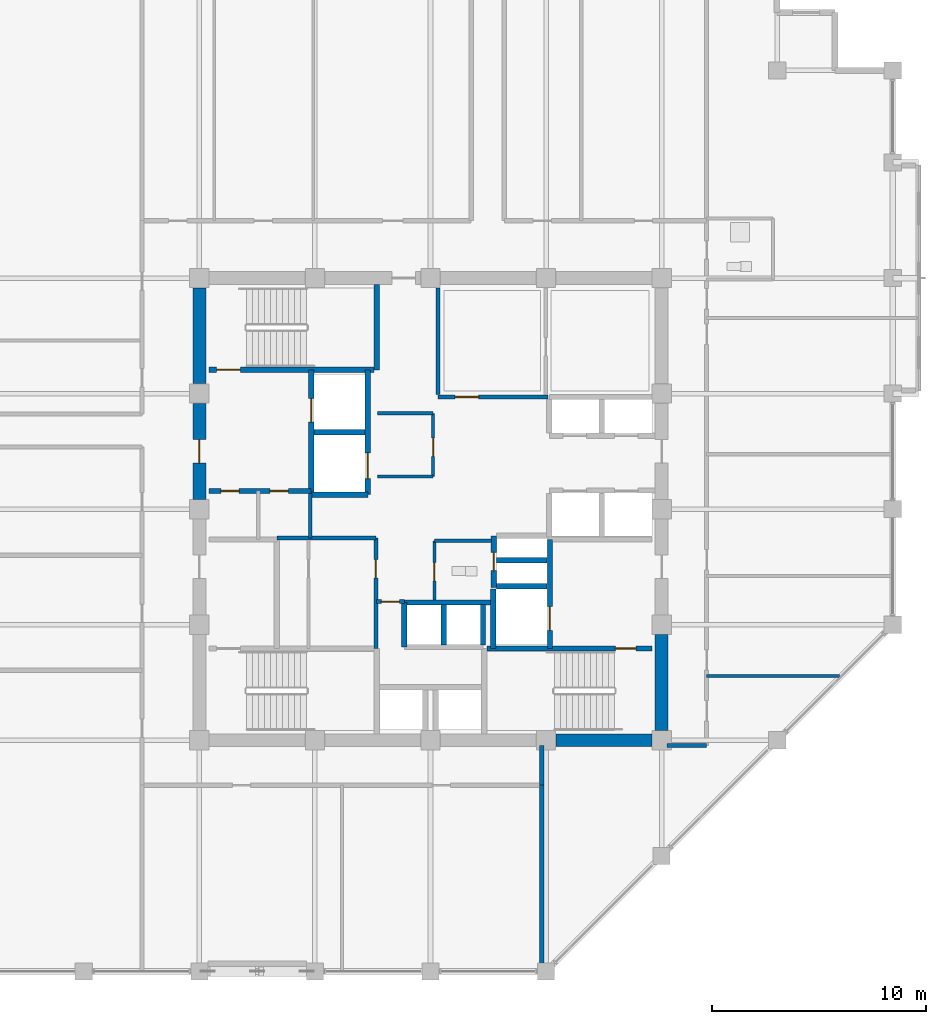
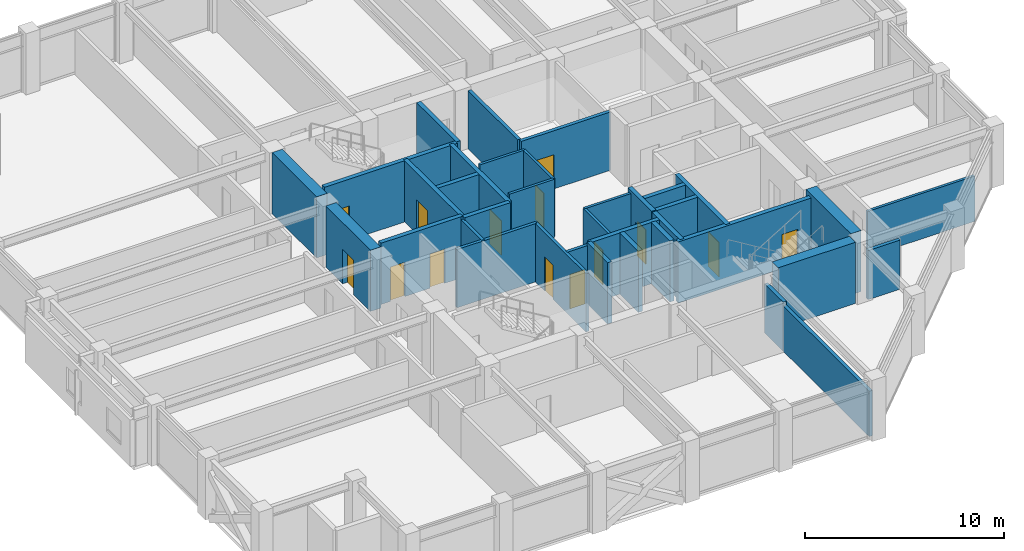
# One storey, part 25 of 30: 36 walls, 14 doors, 14 openings.
"""IFC4 building model written with IfcOpenShell, lengths in metres."""

from ifc_helpers import new_model, si_unit, direction, frame, frame_2d, origin, place, context, subcontext, project, spatial, rectangle, extrude, material, layer, layer_set, type_object, element, fill, save


model = new_model("IFC4")

# Units and contexts
model_context = context("Model", 3, precision=1e-05, world=origin(), true_north=direction((0.0, 1.0)))
body_context = subcontext(model_context, "Body", "Model", "MODEL_VIEW")
ifc_project = project(units=[si_unit("LENGTHUNIT", "METRE"), si_unit("AREAUNIT", "SQUARE_METRE"), si_unit("VOLUMEUNIT", "CUBIC_METRE"), si_unit("PLANEANGLEUNIT", "RADIAN"), si_unit("MASSUNIT", "GRAM", prefix="KILO")], contexts=[model_context])

# Site, building, storey
site_placement = place(None, origin())
site = spatial("IfcSite", under=ifc_project, at=site_placement, CompositionType="ELEMENT")
building_placement = place(site_placement, origin())
building = spatial("IfcBuilding", under=site, at=building_placement, Name="Surkhivell Harbour Commons", CompositionType="ELEMENT")
storey_placement = place(building_placement, frame((0.0, 0.0, 227.25)))
storey = spatial("IfcBuildingStorey", under=building, at=storey_placement, Name="L59", CompositionType="ELEMENT", Elevation=227.25)

# Wall
ifc_material_1 = material(Name="Concrete C60/75", Category="concrete")
ifc_layer_1 = layer(ifc_material_1, 0.60009765625)
ifc_layer_set_1 = layer_set([ifc_layer_1], Name="Concrete C60/75")
wall_type_1 = type_object("IfcWallType", Name="WAL-CORE-600", PredefinedType="SHEAR", material=ifc_layer_set_1)
wall_1_placement = place(storey_placement, frame((10.800048828125, -10.340087890625, 0.0), z_axis=(0.0, 0.0, 1.0), x_axis=(0.0, 1.0, 0.0)))
element("IfcWall", 1, at=wall_1_placement, inside=storey, type_object=wall_type_1, Name="L59 Core Shear Wall East 1", PredefinedType="SHEAR", context=body_context, shape_type="SweptSolid", body=[
    extrude(rectangle(XDim=4.47998046875, YDim=0.60009765625, at=frame_2d((2.239990234375, 0.0))), origin(), (0.0, 0.0, 1.0), 3.75),
])

# Wall, opening, door
wall_2_placement = place(storey_placement, frame((-10.800048828125, 0.4599609375, 0.0), z_axis=(0.0, 0.0, 1.0), x_axis=(0.0, 1.0, 0.0)))
wall_2 = element("IfcWall", 2, at=wall_2_placement, inside=storey, type_object=wall_type_1, Name="L59 Core Shear Wall West 3", PredefinedType="SHEAR", context=body_context, shape_type="SweptSolid", body=[
    extrude(rectangle(XDim=4.47998046875, YDim=0.60009765625, at=frame_2d((2.239990234375, 0.0))), origin(), (0.0, 0.0, 1.0), 3.75),
])
opening_1_placement = place(wall_2_placement, frame((1.68994140625, 0.0, 0.0)))
opening_1 = element("IfcOpeningElement", 3, at=opening_1_placement, cuts=wall_2, Name="Opening ID-1", PredefinedType="OPENING", context=body_context, shape_type="SweptSolid", body=[
    extrude(rectangle(XDim=1.10009765625, YDim=2.10009765625, at=frame_2d((0.550048828125, 1.050048828125))), frame((0.0, 0.31005859375, 0.0), z_axis=(0.0, -1.0, 0.0), x_axis=(1.0, 0.0, 0.0)), (0.0, 0.0, 1.0), 0.6201171875),
])
ifc_material_2 = material(Name="Hardwood-veneered fire-rated door leaf", Category="wood")
door_type_1 = type_object("IfcDoorType", Name="DOR-FD120-1100", OperationType="NOTDEFINED", PredefinedType="DOOR", material=ifc_material_2)
door_1_placement = place(opening_1_placement, origin())
door_1 = element("IfcDoor", 4, at=door_1_placement, inside=storey, type_object=door_type_1, Name="L59 Firefighting Lobby 1 Corridor Door", OperationType="SINGLE_SWING_LEFT", OverallHeight=2.10009765625, OverallWidth=1.10009765625, PredefinedType="DOOR", context=body_context, shape_type="SweptSolid", body=[
    extrude(rectangle(XDim=1.10009765625, YDim=2.10009765625, at=frame_2d((0.550048828125, 1.050048828125))), frame((0.0, 0.02490234375, 0.0), z_axis=(0.0, -1.0, 0.0), x_axis=(1.0, 0.0, 0.0)), (0.0, 0.0, 1.0), 0.050048828125),
])
fill(opening_1, door_1)

# Walls
for number, where, z_axis, x_axis, name in (
    (5, (5.860107421875, -10.800048828125, 0.0), (0.0, 0.0, 1.0), (1.0, 0.0, 0.0), "L59 Core Shear Wall South 4"),
    (6, (-10.800048828125, 5.860107421875, 0.0), (0.0, 0.0, 1.0), (0.0, 1.0, 0.0), "L59 Core Shear Wall West 4"),
):
    element("IfcWall", number, at=place(storey_placement, frame(where, z_axis=z_axis, x_axis=x_axis)), inside=storey, type_object=wall_type_1, Name=name, PredefinedType="SHEAR", context=body_context, shape_type="SweptSolid", body=[
        extrude(rectangle(XDim=4.47998046875, YDim=0.60009765625, at=frame_2d((2.239990234375, 0.0))), origin(), (0.0, 0.0, 1.0), 3.75),
    ])
ifc_material_3 = material(Name="Twin-stud acoustic fireboard partition", Category="other")
ifc_layer_2 = layer(ifc_material_3, 0.14990234375)
ifc_layer_set_2 = layer_set([ifc_layer_2], Name="Twin-stud acoustic fireboard partition")
wall_type_2 = type_object("IfcWallType", Name="WAL-INT-150", PredefinedType="PARTITIONING", material=ifc_layer_set_2)
wall_3_placement = place(storey_placement, frame((0.179931640625, -1.47998046875, 0.0), z_axis=(0.0, 0.0, 1.0), x_axis=(1.0, 0.0, 0.0)))
element("IfcWall", 7, at=wall_3_placement, inside=storey, type_object=wall_type_2, Name="L59 Core Accessible WC North Wall", PredefinedType="PARTITIONING", context=body_context, shape_type="SweptSolid", body=[
    extrude(rectangle(XDim=2.670166015625, YDim=0.14990234375, at=frame_2d((1.3349609375, 0.0))), origin(), (0.0, 0.0, 1.0), 3.570068359375),
])

# Wall, opening, door
wall_4_placement = place(storey_placement, frame((0.179931640625, -4.25, 0.0), z_axis=(0.0, 0.0, 1.0), x_axis=(0.0, 1.0, 0.0)))
wall_4 = element("IfcWall", 8, at=wall_4_placement, inside=storey, type_object=wall_type_2, Name="L59 Core Accessible WC West Wall", PredefinedType="PARTITIONING", context=body_context, shape_type="SweptSolid", body=[
    extrude(rectangle(XDim=2.77001953125, YDim=0.14990234375, at=frame_2d((1.385009765625, 0.0))), origin(), (0.0, 0.0, 1.0), 3.570068359375),
])
opening_2_placement = place(wall_4_placement, frame((0.89990234375, 0.0, 0.0)))
opening_2 = element("IfcOpeningElement", 9, at=opening_2_placement, cuts=wall_4, Name="Opening ID-6", PredefinedType="OPENING", context=body_context, shape_type="SweptSolid", body=[
    extrude(rectangle(XDim=0.85009765625, YDim=2.10009765625, at=frame_2d((0.425048828125, 1.050048828125))), frame((0.0, 0.0849609375, 0.0), z_axis=(0.0, -1.0, 0.0), x_axis=(1.0, 0.0, 0.0)), (0.0, 0.0, 1.0), 0.169921875),
])
door_type_2 = type_object("IfcDoorType", Name="DOR-FD30-850", OperationType="NOTDEFINED", PredefinedType="DOOR", material=ifc_material_2)
door_2_placement = place(opening_2_placement, origin())
door_2 = element("IfcDoor", 10, at=door_2_placement, inside=storey, type_object=door_type_2, Name="L59 Floor Accessible WC Door", OperationType="SINGLE_SWING_LEFT", OverallHeight=2.10009765625, OverallWidth=0.85009765625, PredefinedType="DOOR", context=body_context, shape_type="SweptSolid", body=[
    extrude(rectangle(XDim=0.85009765625, YDim=2.10009765625, at=frame_2d((0.425048828125, 1.050048828125))), frame((0.0, 0.02490234375, 0.0), z_axis=(0.0, -1.0, 0.0), x_axis=(1.0, 0.0, 0.0)), (0.0, 0.0, 1.0), 0.050048828125),
])
fill(opening_2, door_2)

wall_5_placement = place(storey_placement, frame((0.1201171875, 1.52001953125, 0.0), z_axis=(0.0, 0.0, 1.0), x_axis=(0.0, 1.0, 0.0)))
wall_5 = element("IfcWall", 11, at=wall_5_placement, inside=storey, type_object=wall_type_2, Name="L59 Central Reading East Wall", PredefinedType="PARTITIONING", context=body_context, shape_type="SweptSolid", body=[
    extrude(rectangle(XDim=2.9599609375, YDim=0.14990234375, at=frame_2d((1.47998046875, 0.0))), origin(), (0.0, 0.0, 1.0), 3.570068359375),
])
opening_3_placement = place(wall_5_placement, frame((0.949951171875, 0.0, 0.0)))
opening_3 = element("IfcOpeningElement", 12, at=opening_3_placement, cuts=wall_5, Name="Opening ID-6", PredefinedType="OPENING", context=body_context, shape_type="SweptSolid", body=[
    extrude(rectangle(XDim=0.85009765625, YDim=2.10009765625, at=frame_2d((0.425048828125, 1.050048828125))), frame((0.0, 0.0849609375, 0.0), z_axis=(0.0, -1.0, 0.0), x_axis=(1.0, 0.0, 0.0)), (0.0, 0.0, 1.0), 0.169921875),
])
door_3_placement = place(opening_3_placement, origin())
door_3 = element("IfcDoor", 13, at=door_3_placement, inside=storey, type_object=door_type_2, Name="L59 Central Core Reading Door", OperationType="SINGLE_SWING_RIGHT", OverallHeight=2.10009765625, OverallWidth=0.85009765625, PredefinedType="DOOR", context=body_context, shape_type="SweptSolid", body=[
    extrude(rectangle(XDim=0.85009765625, YDim=2.10009765625, at=frame_2d((0.425048828125, 1.050048828125))), frame((0.0, 0.02490234375, 0.0), z_axis=(0.0, -1.0, 0.0), x_axis=(1.0, 0.0, 0.0)), (0.0, 0.0, 1.0), 0.050048828125),
])
fill(opening_3, door_3)

# Walls
for number, where, z_axis, x_axis, name in (
    (14, (-2.47998046875, 4.47998046875, 0.0), (0.0, 0.0, 1.0), (1.0, 0.0, 0.0), "L59 Central Reading North Wall"),
    (15, (-2.47998046875, 1.52001953125, 0.0), (0.0, 0.0, 1.0), (1.0, 0.0, 0.0), "L59 Central Reading South Wall"),
):
    element("IfcWall", number, at=place(storey_placement, frame(where, z_axis=z_axis, x_axis=x_axis)), inside=storey, type_object=wall_type_2, Name=name, PredefinedType="PARTITIONING", context=body_context, shape_type="SweptSolid", body=[
        extrude(rectangle(XDim=2.60009765625, YDim=0.14990234375, at=frame_2d((1.300048828125, 0.0))), origin(), (0.0, 0.0, 1.0), 3.570068359375),
    ])
wall_6_placement = place(storey_placement, frame((12.89990234375, -7.800048828125, 0.0), z_axis=(0.0, 0.0, 1.0), x_axis=(1.0, 0.0, 0.0)))
element("IfcWall", 16, at=wall_6_placement, inside=storey, type_object=wall_type_2, Name="L59 East Partition PBOT", PredefinedType="PARTITIONING", context=body_context, shape_type="SweptSolid", body=[
    extrude(rectangle(XDim=6.21533203125, YDim=0.14990234375, at=frame_2d((3.107666015625, 0.0))), origin(), (0.0, 0.0, 1.0), 2.780029296875),
])

# Wall, opening, door
ifc_material_4 = material(Name="High-density acoustic blockwork fire partition", Category="masonry")
ifc_layer_3 = layer(ifc_material_4, 0.175048828125)
ifc_layer_set_3 = layer_set([ifc_layer_3], Name="High-density acoustic blockwork fire partition")
wall_type_3 = type_object("IfcWallType", Name="WAL-INT-175", PredefinedType="PARTITIONING", material=ifc_layer_set_3)
wall_7_placement = place(storey_placement, frame((-2.550048828125, -6.510009765625, 0.0), z_axis=(0.0, 0.0, 1.0), x_axis=(0.0, 1.0, 0.0)))
wall_7 = element("IfcWall", 17, at=wall_7_placement, inside=storey, type_object=wall_type_3, Name="L59 Core Service Bay East Wall", PredefinedType="PARTITIONING", context=body_context, shape_type="SweptSolid", body=[
    extrude(rectangle(XDim=5.159912109375, YDim=0.175048828125, at=frame_2d((2.580078125, 0.0))), origin(), (0.0, 0.0, 1.0), 3.570068359375),
])
opening_4_placement = place(wall_7_placement, frame((3.300048828125, 0.0, 0.0)))
opening_4 = element("IfcOpeningElement", 18, at=opening_4_placement, cuts=wall_7, Name="Opening ID-6", PredefinedType="OPENING", context=body_context, shape_type="SweptSolid", body=[
    extrude(rectangle(XDim=0.85009765625, YDim=2.10009765625, at=frame_2d((0.425048828125, 1.050048828125))), frame((0.0, 0.097412109375, 0.0), z_axis=(0.0, -1.0, 0.0), x_axis=(1.0, 0.0, 0.0)), (0.0, 0.0, 1.0), 0.195068359375),
])
door_4_placement = place(opening_4_placement, origin())
door_4 = element("IfcDoor", 19, at=door_4_placement, inside=storey, type_object=door_type_2, Name="L59 Core Music Door", OperationType="SINGLE_SWING_LEFT", OverallHeight=2.10009765625, OverallWidth=0.85009765625, PredefinedType="DOOR", context=body_context, shape_type="SweptSolid", body=[
    extrude(rectangle(XDim=0.85009765625, YDim=2.10009765625, at=frame_2d((0.425048828125, 1.050048828125))), frame((0.0, 0.02490234375, 0.0), z_axis=(0.0, -1.0, 0.0), x_axis=(1.0, 0.0, 0.0)), (0.0, 0.0, 1.0), 0.050048828125),
])
fill(opening_4, door_4)

# Walls
wall_8_placement = place(storey_placement, frame((-7.179931640625, -1.35009765625, 0.0), z_axis=(0.0, 0.0, 1.0), x_axis=(1.0, 0.0, 0.0)))
element("IfcWall", 20, at=wall_8_placement, inside=storey, type_object=wall_type_3, Name="L59 Core Service Bay North Wall", PredefinedType="PARTITIONING", context=body_context, shape_type="SweptSolid", body=[
    extrude(rectangle(XDim=4.6298828125, YDim=0.175048828125, at=frame_2d((2.31494140625, 0.0))), origin(), (0.0, 0.0, 1.0), 3.570068359375),
])
wall_9_placement = place(storey_placement, frame((-5.6201171875, -1.35009765625, 0.0), z_axis=(0.0, 0.0, 1.0), x_axis=(0.0, 1.0, 0.0)))
element("IfcWall", 21, at=wall_9_placement, inside=storey, type_object=wall_type_3, Name="L59 West Core Bay East Wall", PredefinedType="PARTITIONING", context=body_context, shape_type="SweptSolid", body=[
    extrude(rectangle(XDim=2.070068359375, YDim=0.175048828125, at=frame_2d((1.03515625, 0.0))), origin(), (0.0, 0.0, 1.0), 3.570068359375),
])

# Wall, opening, door
wall_10_placement = place(storey_placement, frame((-2.52001953125, -4.320068359375, 0.0), z_axis=(0.0, 0.0, 1.0), x_axis=(1.0, 0.0, 0.0)))
wall_10 = element("IfcWall", 22, at=wall_10_placement, inside=storey, type_object=wall_type_3, Name="L59 High-Rise Lobby North Portal Wall", PredefinedType="PARTITIONING", context=body_context, shape_type="SweptSolid", body=[
    extrude(rectangle(XDim=1.300048828125, YDim=0.175048828125, at=frame_2d((0.64990234375, 0.0))), origin(), (0.0, 0.0, 1.0), 3.570068359375),
])
opening_5_placement = place(wall_10_placement, frame((0.219970703125, 0.0, 0.0)))
opening_5 = element("IfcOpeningElement", 23, at=opening_5_placement, cuts=wall_10, Name="Opening ID-6", PredefinedType="OPENING", context=body_context, shape_type="SweptSolid", body=[
    extrude(rectangle(XDim=0.85009765625, YDim=2.10009765625, at=frame_2d((0.425048828125, 1.050048828125))), frame((0.0, 0.097412109375, 0.0), z_axis=(0.0, -1.0, 0.0), x_axis=(1.0, 0.0, 0.0)), (0.0, 0.0, 1.0), 0.195068359375),
])
door_5_placement = place(opening_5_placement, origin())
door_5 = element("IfcDoor", 24, at=door_5_placement, inside=storey, type_object=door_type_2, Name="L59 High-Rise Lift Lobby North Door", OperationType="SINGLE_SWING_LEFT", OverallHeight=2.10009765625, OverallWidth=0.85009765625, PredefinedType="DOOR", context=body_context, shape_type="SweptSolid", body=[
    extrude(rectangle(XDim=0.85009765625, YDim=2.10009765625, at=frame_2d((0.425048828125, 1.050048828125))), frame((0.0, 0.02490234375, 0.0), z_axis=(0.0, -1.0, 0.0), x_axis=(1.0, 0.0, 0.0)), (0.0, 0.0, 1.0), 0.050048828125),
])
fill(opening_5, door_5)

ifc_material_5 = material(Name="Autoclaved aerated concrete blockwork and fire plaster", Category="masonry")
ifc_layer_4 = layer(ifc_material_5, 0.199951171875)
ifc_layer_set_4 = layer_set([ifc_layer_4], Name="Autoclaved aerated concrete blockwork and fire plaster")
wall_type_4 = type_object("IfcWallType", Name="WAL-INT-200", PredefinedType="PARTITIONING", material=ifc_layer_set_4)
wall_11_placement = place(storey_placement, frame((0.35009765625, 5.239990234375, 0.0), z_axis=(0.0, 0.0, 1.0), x_axis=(1.0, 0.0, 0.0)))
wall_11 = element("IfcWall", 25, at=wall_11_placement, inside=storey, type_object=wall_type_4, Name="L59 Reclaimed Core North Bay South Wall", PredefinedType="PARTITIONING", context=body_context, shape_type="SweptSolid", body=[
    extrude(rectangle(XDim=5.14990234375, YDim=0.199951171875, at=frame_2d((2.574951171875, 0.0))), origin(), (0.0, 0.0, 1.0), 3.570068359375),
])
opening_6_placement = place(wall_11_placement, frame((0.800048828125, 0.0, 0.0)))
opening_6 = element("IfcOpeningElement", 26, at=opening_6_placement, cuts=wall_11, Name="Opening ID-2", PredefinedType="OPENING", context=body_context, shape_type="SweptSolid", body=[
    extrude(rectangle(XDim=1.10009765625, YDim=2.10009765625, at=frame_2d((0.550048828125, 1.050048828125))), frame((0.0, 0.10986328125, 0.0), z_axis=(0.0, -1.0, 0.0), x_axis=(1.0, 0.0, 0.0)), (0.0, 0.0, 1.0), 0.219970703125),
])
door_type_3 = type_object("IfcDoorType", Name="DOR-FD60-1100", OperationType="NOTDEFINED", PredefinedType="DOOR", material=ifc_material_2)
door_6_placement = place(opening_6_placement, origin())
door_6 = element("IfcDoor", 27, at=door_6_placement, inside=storey, type_object=door_type_3, Name="L59 Core Study Door", OperationType="SINGLE_SWING_LEFT", OverallHeight=2.10009765625, OverallWidth=1.10009765625, PredefinedType="DOOR", context=body_context, shape_type="SweptSolid", body=[
    extrude(rectangle(XDim=1.10009765625, YDim=2.10009765625, at=frame_2d((0.550048828125, 1.050048828125))), frame((0.0, 0.02490234375, 0.0), z_axis=(0.0, -1.0, 0.0), x_axis=(1.0, 0.0, 0.0)), (0.0, 0.0, 1.0), 0.050048828125),
])
fill(opening_6, door_6)

# Walls
wall_12_placement = place(storey_placement, frame((0.35009765625, 5.360107421875, 0.0), z_axis=(0.0, 0.0, 1.0), x_axis=(0.0, 1.0, 0.0)))
element("IfcWall", 28, at=wall_12_placement, inside=storey, type_object=wall_type_4, Name="L59 Reclaimed Core North Bay West Wall", PredefinedType="PARTITIONING", context=body_context, shape_type="SweptSolid", body=[
    extrude(rectangle(XDim=4.97998046875, YDim=0.199951171875, at=frame_2d((2.489990234375, 0.0))), origin(), (0.0, 0.0, 1.0), 3.570068359375),
])
wall_13_placement = place(storey_placement, frame((5.199951171875, -21.5400390625, 0.0), z_axis=(0.0, 0.0, 1.0), x_axis=(0.0, 1.0, 0.0)))
element("IfcWall", 29, at=wall_13_placement, inside=storey, type_object=wall_type_4, Name="L59 South-East Corner Wall", PredefinedType="PARTITIONING", context=body_context, shape_type="SweptSolid", body=[
    extrude(rectangle(XDim=8.64013671875, YDim=0.199951171875, at=frame_2d((4.320068359375, 0.0))), origin(), (0.0, 0.0, 1.0), 2.780029296875),
])
for number, where, z_axis, x_axis, name in (
    (30, (11.0400390625, -11.0400390625, 0.0), (0.0, 0.0, 1.0), (1.0, 0.0, 0.0), "L59 Corridor East South Closure Wall"),
    (31, (5.199951171875, -12.89990234375, 0.0), (0.0, 0.0, 1.0), (0.0, 1.0, 0.0), "L59 Corridor South End Wall"),
):
    element("IfcWall", number, at=place(storey_placement, frame(where, z_axis=z_axis, x_axis=x_axis)), inside=storey, type_object=wall_type_4, Name=name, PredefinedType="PARTITIONING", context=body_context, shape_type="SweptSolid", body=[
        extrude(rectangle(XDim=1.85986328125, YDim=0.199951171875, at=frame_2d((0.929931640625, 0.0))), origin(), (0.0, 0.0, 1.0), 3.006103515625),
    ])

# Wall, opening, door
ifc_material_6 = material(Name="Concrete C50/60", Category="concrete")
ifc_layer_5 = layer(ifc_material_6, 0.25)
ifc_layer_set_5 = layer_set([ifc_layer_5], Name="Concrete C50/60")
wall_type_5 = type_object("IfcWallType", Name="WAL-SHAFT-250", PredefinedType="SHEAR", material=ifc_layer_set_5)
wall_14_placement = place(storey_placement, frame((-5.580078125, 0.719970703125, 0.0), z_axis=(0.0, 0.0, 1.0), x_axis=(0.0, 1.0, 0.0)))
wall_14 = element("IfcWall", 32, at=wall_14_placement, inside=storey, type_object=wall_type_5, Name="L59 Firefighting Lobby 1 East Shaft Wall", PredefinedType="SHEAR", context=body_context, shape_type="SweptSolid", body=[
    extrude(rectangle(XDim=5.7900390625, YDim=0.25, at=frame_2d((2.89501953125, 0.0))), origin(), (0.0, 0.0, 1.0), 3.75),
])
opening_7_placement = place(wall_14_placement, frame((3.35009765625, 0.0, 0.0)))
opening_7 = element("IfcOpeningElement", 33, at=opening_7_placement, cuts=wall_14, Name="Opening LD-1", PredefinedType="OPENING", context=body_context, shape_type="SweptSolid", body=[
    extrude(rectangle(XDim=1.10009765625, YDim=2.10009765625, at=frame_2d((0.550048828125, 1.050048828125))), frame((0.0, 0.135009765625, 0.0), z_axis=(0.0, -1.0, 0.0), x_axis=(1.0, 0.0, 0.0)), (0.0, 0.0, 1.0), 0.27001953125),
])
ifc_material_7 = material(Name="Brushed stainless steel S355", Category="steel")
door_type_4 = type_object("IfcDoorType", Name="DOR-LD-1100", OperationType="SLIDING_TO_LEFT", PredefinedType="DOOR", material=ifc_material_7)
door_7_placement = place(opening_7_placement, origin())
door_7 = element("IfcDoor", 34, at=door_7_placement, inside=storey, type_object=door_type_4, Name="L59 Lift Landing Door LD-FFL1", OperationType="SLIDING_TO_LEFT", OverallHeight=2.10009765625, OverallWidth=1.10009765625, PredefinedType="DOOR", context=body_context, shape_type="SweptSolid", body=[
    extrude(rectangle(XDim=1.10009765625, YDim=2.10009765625, at=frame_2d((0.550048828125, 1.050048828125))), frame((0.0, 0.02490234375, 0.0), z_axis=(0.0, -1.0, 0.0), x_axis=(1.0, 0.0, 0.0)), (0.0, 0.0, 1.0), 0.050048828125),
])
fill(opening_7, door_7)

# Wall, openings, doors
wall_15_placement = place(storey_placement, frame((-10.340087890625, 0.85009765625, 0.0), z_axis=(0.0, 0.0, 1.0), x_axis=(1.0, 0.0, 0.0)))
wall_15 = element("IfcWall", 35, at=wall_15_placement, inside=storey, type_object=wall_type_5, Name="L59 Firefighting Lobby 1 South Wall", PredefinedType="SHEAR", context=body_context, shape_type="SweptSolid", body=[
    extrude(rectangle(XDim=4.760009765625, YDim=0.25, at=frame_2d((2.3798828125, 0.0))), origin(), (0.0, 0.0, 1.0), 3.75),
])
opening_8_placement = place(wall_15_placement, frame((0.550048828125, 0.0, 0.0)))
opening_8 = element("IfcOpeningElement", 36, at=opening_8_placement, cuts=wall_15, Name="Opening ID-6", PredefinedType="OPENING", context=body_context, shape_type="SweptSolid", body=[
    extrude(rectangle(XDim=0.85009765625, YDim=2.10009765625, at=frame_2d((0.425048828125, 1.050048828125))), frame((0.0, 0.135009765625, 0.0), z_axis=(0.0, -1.0, 0.0), x_axis=(1.0, 0.0, 0.0)), (0.0, 0.0, 1.0), 0.27001953125),
])
opening_9_placement = place(wall_15_placement, frame((2.85009765625, 0.0, 0.0)))
opening_9 = element("IfcOpeningElement", 37, at=opening_9_placement, cuts=wall_15, Name="Opening ID-6", PredefinedType="OPENING", context=body_context, shape_type="SweptSolid", body=[
    extrude(rectangle(XDim=0.85009765625, YDim=2.10009765625, at=frame_2d((0.425048828125, 1.050048828125))), frame((0.0, 0.135009765625, 0.0), z_axis=(0.0, -1.0, 0.0), x_axis=(1.0, 0.0, 0.0)), (0.0, 0.0, 1.0), 0.27001953125),
])
door_8_placement = place(opening_8_placement, origin())
door_8 = element("IfcDoor", 38, at=door_8_placement, inside=storey, type_object=door_type_2, Name="L59 West Seminar 1 Door", OperationType="SINGLE_SWING_LEFT", OverallHeight=2.10009765625, OverallWidth=0.85009765625, PredefinedType="DOOR", context=body_context, shape_type="SweptSolid", body=[
    extrude(rectangle(XDim=0.85009765625, YDim=2.10009765625, at=frame_2d((0.425048828125, 1.050048828125))), frame((0.0, 0.02490234375, 0.0), z_axis=(0.0, -1.0, 0.0), x_axis=(1.0, 0.0, 0.0)), (0.0, 0.0, 1.0), 0.050048828125),
])
fill(opening_8, door_8)
door_9_placement = place(opening_9_placement, origin())
door_9 = element("IfcDoor", 39, at=door_9_placement, inside=storey, type_object=door_type_2, Name="L59 West Seminar 2 Door", OperationType="SINGLE_SWING_RIGHT", OverallHeight=2.10009765625, OverallWidth=0.85009765625, PredefinedType="DOOR", context=body_context, shape_type="SweptSolid", body=[
    extrude(rectangle(XDim=0.85009765625, YDim=2.10009765625, at=frame_2d((0.425048828125, 1.050048828125))), frame((0.0, 0.02490234375, 0.0), z_axis=(0.0, -1.0, 0.0), x_axis=(1.0, 0.0, 0.0)), (0.0, 0.0, 1.0), 0.050048828125),
])
fill(opening_9, door_9)

# Walls
wall_16_placement = place(storey_placement, frame((2.929931640625, -6.510009765625, 0.0), z_axis=(0.0, 0.0, 1.0), x_axis=(0.0, 1.0, 0.0)))
element("IfcWall", 40, at=wall_16_placement, inside=storey, type_object=wall_type_5, Name="L59 FFL2 West Shaft Wall", PredefinedType="SHEAR", context=body_context, shape_type="SweptSolid", body=[
    extrude(rectangle(XDim=2.7900390625, YDim=0.25, at=frame_2d((1.39501953125, 0.0))), origin(), (0.0, 0.0, 1.0), 3.75),
])
wall_17_placement = place(storey_placement, frame((3.080078125, -3.60009765625, 0.0), z_axis=(0.0, 0.0, 1.0), x_axis=(1.0, 0.0, 0.0)))
element("IfcWall", 41, at=wall_17_placement, inside=storey, type_object=wall_type_5, Name="L59 FFL2 North Shaft Wall", PredefinedType="SHEAR", context=body_context, shape_type="SweptSolid", body=[
    extrude(rectangle(XDim=2.369873046875, YDim=0.25, at=frame_2d((1.18505859375, 0.0))), origin(), (0.0, 0.0, 1.0), 3.75),
])

# Wall, opening, door
wall_18_placement = place(storey_placement, frame((5.580078125, -6.510009765625, 0.0), z_axis=(0.0, 0.0, 1.0), x_axis=(0.0, 1.0, 0.0)))
wall_18 = element("IfcWall", 42, at=wall_18_placement, inside=storey, type_object=wall_type_5, Name="L59 Firefighting Lobby 2 West Shaft Wall", PredefinedType="SHEAR", context=body_context, shape_type="SweptSolid", body=[
    extrude(rectangle(XDim=5.090087890625, YDim=0.25, at=frame_2d((2.544921875, 0.0))), origin(), (0.0, 0.0, 1.0), 3.75),
])
opening_10_placement = place(wall_18_placement, frame((0.85009765625, 0.0, 0.0)))
opening_10 = element("IfcOpeningElement", 43, at=opening_10_placement, cuts=wall_18, Name="Opening LD-1", PredefinedType="OPENING", context=body_context, shape_type="SweptSolid", body=[
    extrude(rectangle(XDim=1.10009765625, YDim=2.10009765625, at=frame_2d((0.550048828125, 1.050048828125))), frame((0.0, 0.135009765625, 0.0), z_axis=(0.0, -1.0, 0.0), x_axis=(1.0, 0.0, 0.0)), (0.0, 0.0, 1.0), 0.27001953125),
])
door_10_placement = place(opening_10_placement, origin())
door_10 = element("IfcDoor", 44, at=door_10_placement, inside=storey, type_object=door_type_4, Name="L59 Lift Landing Door LD-FFL2", OperationType="SLIDING_TO_RIGHT", OverallHeight=2.10009765625, OverallWidth=1.10009765625, PredefinedType="DOOR", context=body_context, shape_type="SweptSolid", body=[
    extrude(rectangle(XDim=1.10009765625, YDim=2.10009765625, at=frame_2d((0.550048828125, 1.050048828125))), frame((0.0, 0.02490234375, 0.0), z_axis=(0.0, -1.0, 0.0), x_axis=(1.0, 0.0, 0.0)), (0.0, 0.0, 1.0), 0.050048828125),
])
fill(opening_10, door_10)

# Walls
for number, where, z_axis, x_axis, name in (
    (45, (0.6201171875, -6.340087890625, 0.0), (0.0, 0.0, 1.0), (0.0, 1.0, 0.0), "L59 High-Rise Side Wall N"),
    (46, (2.449951171875, -6.340087890625, 0.0), (0.0, 0.0, 1.0), (0.0, 1.0, 0.0), "L59 High-Rise Side Wall N"),
):
    element("IfcWall", number, at=place(storey_placement, frame(where, z_axis=z_axis, x_axis=x_axis)), inside=storey, type_object=wall_type_5, Name=name, PredefinedType="SHEAR", context=body_context, shape_type="SweptSolid", body=[
        extrude(rectangle(XDim=1.880126953125, YDim=0.25, at=frame_2d((0.93994140625, 0.0))), origin(), (0.0, 0.0, 1.0), 3.75),
    ])
wall_19_placement = place(storey_placement, frame((-1.219970703125, -6.43994140625, 0.0), z_axis=(0.0, 0.0, 1.0), x_axis=(0.0, 1.0, 0.0)))
element("IfcWall", 47, at=wall_19_placement, inside=storey, type_object=wall_type_5, Name="L59 High-Rise Passage East Shaft Wall", PredefinedType="SHEAR", context=body_context, shape_type="SweptSolid", body=[
    extrude(rectangle(XDim=2.079833984375, YDim=0.25, at=frame_2d((1.0400390625, 0.0))), origin(), (0.0, 0.0, 1.0), 3.75),
])
wall_20_placement = place(storey_placement, frame((-1.219970703125, -4.360107421875, 0.0), z_axis=(0.0, 0.0, 1.0), x_axis=(1.0, 0.0, 0.0)))
element("IfcWall", 48, at=wall_20_placement, inside=storey, type_object=wall_type_5, Name="L59 High-Rise North Back Shaft Wall", PredefinedType="SHEAR", context=body_context, shape_type="SweptSolid", body=[
    extrude(rectangle(XDim=4.030029296875, YDim=0.25, at=frame_2d((2.01513671875, 0.0))), origin(), (0.0, 0.0, 1.0), 3.75),
])
wall_21_placement = place(storey_placement, frame((3.080078125, -2.3798828125, 0.0), z_axis=(0.0, 0.0, 1.0), x_axis=(1.0, 0.0, 0.0)))
element("IfcWall", 49, at=wall_21_placement, inside=storey, type_object=wall_type_5, Name="L59 Riser Divider Wall", PredefinedType="SHEAR", context=body_context, shape_type="SweptSolid", body=[
    extrude(rectangle(XDim=2.369873046875, YDim=0.25, at=frame_2d((1.18505859375, 0.0))), origin(), (0.0, 0.0, 1.0), 3.75),
])

# Wall, opening, door
wall_22_placement = place(storey_placement, frame((2.949951171875, -3.64990234375, 0.0), z_axis=(0.0, 0.0, 1.0), x_axis=(0.0, 1.0, 0.0)))
wall_22 = element("IfcWall", 50, at=wall_22_placement, inside=storey, type_object=wall_type_5, Name="L59 Riser Shaft West Wall", PredefinedType="SHEAR", context=body_context, shape_type="SweptSolid", body=[
    extrude(rectangle(XDim=2.39990234375, YDim=0.25, at=frame_2d((1.199951171875, 0.0))), origin(), (0.0, 0.0, 1.0), 3.75),
])
opening_11_placement = place(wall_22_placement, frame((0.77490234375, 0.0, 0.0)))
opening_11 = element("IfcOpeningElement", 51, at=opening_11_placement, cuts=wall_22, Name="Opening ID-6", PredefinedType="OPENING", context=body_context, shape_type="SweptSolid", body=[
    extrude(rectangle(XDim=0.85009765625, YDim=2.10009765625, at=frame_2d((0.425048828125, 1.050048828125))), frame((0.0, 0.135009765625, 0.0), z_axis=(0.0, -1.0, 0.0), x_axis=(1.0, 0.0, 0.0)), (0.0, 0.0, 1.0), 0.27001953125),
])
door_11_placement = place(opening_11_placement, origin())
door_11 = element("IfcDoor", 52, at=door_11_placement, inside=storey, type_object=door_type_2, Name="L59 Electrical Riser Access Door", OperationType="SINGLE_SWING_LEFT", OverallHeight=2.10009765625, OverallWidth=0.85009765625, PredefinedType="DOOR", context=body_context, shape_type="SweptSolid", body=[
    extrude(rectangle(XDim=0.85009765625, YDim=2.10009765625, at=frame_2d((0.425048828125, 1.050048828125))), frame((0.0, 0.02490234375, 0.0), z_axis=(0.0, -1.0, 0.0), x_axis=(1.0, 0.0, 0.0)), (0.0, 0.0, 1.0), 0.050048828125),
])
fill(opening_11, door_11)

# Wall
wall_23_placement = place(storey_placement, frame((-2.510009765625, 6.510009765625, 0.0), z_axis=(0.0, 0.0, 1.0), x_axis=(0.0, 1.0, 0.0)))
element("IfcWall", 53, at=wall_23_placement, inside=storey, type_object=wall_type_5, Name="L59 Stair ST1 East Shear Wall", PredefinedType="SHEAR", context=body_context, shape_type="SweptSolid", body=[
    extrude(rectangle(XDim=3.989990234375, YDim=0.25, at=frame_2d((1.9951171875, 0.0))), origin(), (0.0, 0.0, 1.0), 3.75),
])

# Wall, opening, door
wall_24_placement = place(storey_placement, frame((-10.340087890625, 6.510009765625, 0.0), z_axis=(0.0, 0.0, 1.0), x_axis=(1.0, 0.0, 0.0)))
wall_24 = element("IfcWall", 54, at=wall_24_placement, inside=storey, type_object=wall_type_5, Name="L59 Stair ST1 South Shear Wall", PredefinedType="SHEAR", context=body_context, shape_type="SweptSolid", body=[
    extrude(rectangle(XDim=7.7001953125, YDim=0.25, at=frame_2d((3.85009765625, 0.0))), origin(), (0.0, 0.0, 1.0), 3.75),
])
opening_12_placement = place(wall_24_placement, frame((0.35009765625, 0.0, 0.0)))
opening_12 = element("IfcOpeningElement", 55, at=opening_12_placement, cuts=wall_24, Name="Opening ID-2", PredefinedType="OPENING", context=body_context, shape_type="SweptSolid", body=[
    extrude(rectangle(XDim=1.10009765625, YDim=2.10009765625, at=frame_2d((0.550048828125, 1.050048828125))), frame((0.0, 0.135009765625, 0.0), z_axis=(0.0, -1.0, 0.0), x_axis=(1.0, 0.0, 0.0)), (0.0, 0.0, 1.0), 0.27001953125),
])
door_12_placement = place(opening_12_placement, origin())
door_12 = element("IfcDoor", 56, at=door_12_placement, inside=storey, type_object=door_type_3, Name="L59 Stair ST1 Exit Door", OperationType="SINGLE_SWING_LEFT", OverallHeight=2.10009765625, OverallWidth=1.10009765625, PredefinedType="DOOR", context=body_context, shape_type="SweptSolid", body=[
    extrude(rectangle(XDim=1.10009765625, YDim=2.10009765625, at=frame_2d((0.550048828125, 1.050048828125))), frame((0.0, 0.02490234375, 0.0), z_axis=(0.0, -1.0, 0.0), x_axis=(1.0, 0.0, 0.0)), (0.0, 0.0, 1.0), 0.050048828125),
])
fill(opening_12, door_12)

wall_25_placement = place(storey_placement, frame((2.639892578125, -6.510009765625, 0.0), z_axis=(0.0, 0.0, 1.0), x_axis=(1.0, 0.0, 0.0)))
wall_25 = element("IfcWall", 57, at=wall_25_placement, inside=storey, type_object=wall_type_5, Name="L59 Stair ST2 North Shear Wall", PredefinedType="SHEAR", context=body_context, shape_type="SweptSolid", body=[
    extrude(rectangle(XDim=7.7001953125, YDim=0.25, at=frame_2d((3.85009765625, 0.0))), origin(), (0.0, 0.0, 1.0), 3.75),
])
opening_13_placement = place(wall_25_placement, frame((6.0, 0.0, 0.0)))
opening_13 = element("IfcOpeningElement", 58, at=opening_13_placement, cuts=wall_25, Name="Opening ID-4", PredefinedType="OPENING", context=body_context, shape_type="SweptSolid", body=[
    extrude(rectangle(XDim=0.949951171875, YDim=2.10009765625, at=frame_2d((0.47509765625, 1.050048828125))), frame((0.0, 0.135009765625, 0.0), z_axis=(0.0, -1.0, 0.0), x_axis=(1.0, 0.0, 0.0)), (0.0, 0.0, 1.0), 0.27001953125),
])
door_type_5 = type_object("IfcDoorType", Name="DOR-FD60-950", OperationType="NOTDEFINED", PredefinedType="DOOR", material=ifc_material_2)
door_13_placement = place(opening_13_placement, origin())
door_13 = element("IfcDoor", 59, at=door_13_placement, inside=storey, type_object=door_type_5, Name="L59 Stair ST2 Exit Door", OperationType="SINGLE_SWING_RIGHT", OverallHeight=2.10009765625, OverallWidth=0.949951171875, PredefinedType="DOOR", context=body_context, shape_type="SweptSolid", body=[
    extrude(rectangle(XDim=0.949951171875, YDim=2.10009765625, at=frame_2d((0.47509765625, 1.050048828125))), frame((0.0, 0.02490234375, 0.0), z_axis=(0.0, -1.0, 0.0), x_axis=(1.0, 0.0, 0.0)), (0.0, 0.0, 1.0), 0.050048828125),
])
fill(opening_13, door_13)

wall_26_placement = place(storey_placement, frame((-2.929931640625, 0.679931640625, 0.0), z_axis=(0.0, 0.0, 1.0), x_axis=(0.0, 1.0, 0.0)))
wall_26 = element("IfcWall", 60, at=wall_26_placement, inside=storey, type_object=wall_type_5, Name="L59 Service and Fire Lift East Shaft Wall", PredefinedType="SHEAR", context=body_context, shape_type="SweptSolid", body=[
    extrude(rectangle(XDim=5.830078125, YDim=0.25, at=frame_2d((2.9150390625, 0.0))), origin(), (0.0, 0.0, 1.0), 3.75),
])
opening_14_placement = place(wall_26_placement, frame((0.75, 0.0, 0.0)))
opening_14 = element("IfcOpeningElement", 61, at=opening_14_placement, cuts=wall_26, Name="Opening LD-2", PredefinedType="OPENING", context=body_context, shape_type="SweptSolid", body=[
    extrude(rectangle(XDim=1.199951171875, YDim=2.10009765625, at=frame_2d((0.60009765625, 1.050048828125))), frame((0.0, 0.135009765625, 0.0), z_axis=(0.0, -1.0, 0.0), x_axis=(1.0, 0.0, 0.0)), (0.0, 0.0, 1.0), 0.27001953125),
])
door_type_6 = type_object("IfcDoorType", Name="DOR-LD-1200", OperationType="SLIDING_TO_LEFT", PredefinedType="DOOR", material=ifc_material_7)
door_14_placement = place(opening_14_placement, origin())
door_14 = element("IfcDoor", 62, at=door_14_placement, inside=storey, type_object=door_type_6, Name="L59 Lift Landing Door LD-SVL1", OperationType="SLIDING_TO_LEFT", OverallHeight=2.10009765625, OverallWidth=1.199951171875, PredefinedType="DOOR", context=body_context, shape_type="SweptSolid", body=[
    extrude(rectangle(XDim=1.199951171875, YDim=2.10009765625, at=frame_2d((0.60009765625, 1.050048828125))), frame((0.0, 0.02490234375, 0.0), z_axis=(0.0, -1.0, 0.0), x_axis=(1.0, 0.0, 0.0)), (0.0, 0.0, 1.0), 0.050048828125),
])
fill(opening_14, door_14)

# Walls
wall_27_placement = place(storey_placement, frame((-5.449951171875, 3.60009765625, 0.0), z_axis=(0.0, 0.0, 1.0), x_axis=(1.0, 0.0, 0.0)))
element("IfcWall", 63, at=wall_27_placement, inside=storey, type_object=wall_type_5, Name="L59 FFL1/SVL1 Shaft Divider", PredefinedType="SHEAR", context=body_context, shape_type="SweptSolid", body=[
    extrude(rectangle(XDim=2.389892578125, YDim=0.25, at=frame_2d((1.19482421875, 0.0))), origin(), (0.0, 0.0, 1.0), 3.75),
])
wall_28_placement = place(storey_placement, frame((-5.580078125, 0.679931640625, 0.0), z_axis=(0.0, 0.0, 1.0), x_axis=(1.0, 0.0, 0.0)))
element("IfcWall", 64, at=wall_28_placement, inside=storey, type_object=wall_type_5, Name="L59 SVL1 South Shaft Wall", PredefinedType="SHEAR", context=body_context, shape_type="SweptSolid", body=[
    extrude(rectangle(XDim=2.650146484375, YDim=0.25, at=frame_2d((1.3251953125, 0.0))), origin(), (0.0, 0.0, 1.0), 3.75),
])

save(model, "model.ifc")
